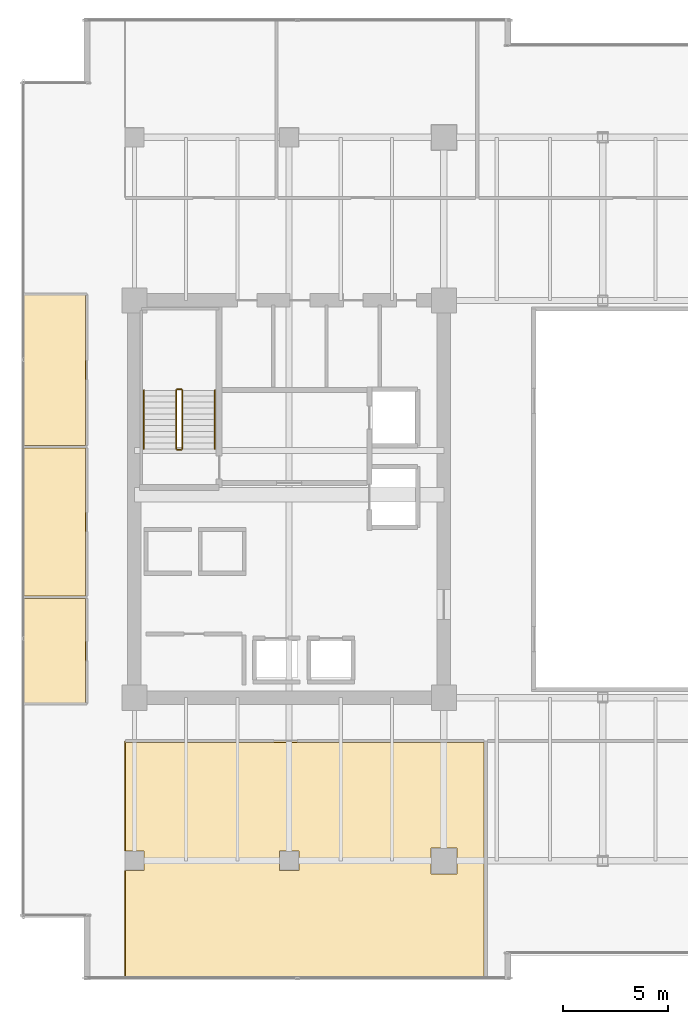
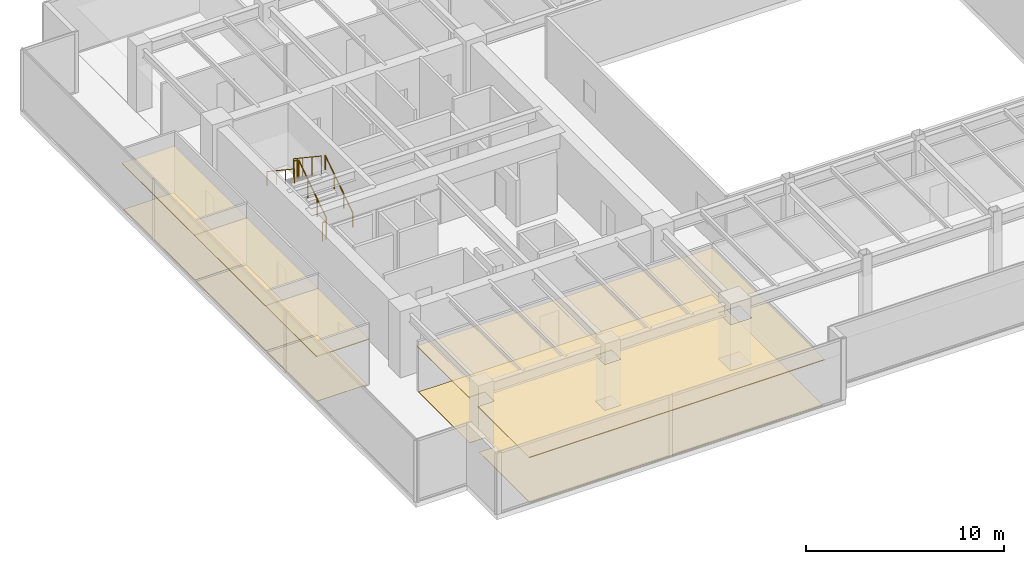
# One storey, part 30 of 33: 8 coverings, 6 railings.
"""IFC4 building model written with IfcOpenShell, lengths in metres."""

from ifc_helpers import new_model, si_unit, direction, frame, origin, origin_2d, place, context, subcontext, project, spatial, polyline, circle, outline, extrude, source, transform, mapped, material, layer, layer_set, type_object, type_shapes, element, save


model = new_model("IFC4")

# Units and contexts
model_context = context("Model", 3, precision=1e-05, world=origin(), true_north=direction((0.0, 1.0)))
body_context = subcontext(model_context, "Body", "Model", "MODEL_VIEW")
ifc_project = project(units=[si_unit("LENGTHUNIT", "METRE"), si_unit("AREAUNIT", "SQUARE_METRE"), si_unit("VOLUMEUNIT", "CUBIC_METRE"), si_unit("PLANEANGLEUNIT", "RADIAN"), si_unit("MASSUNIT", "GRAM", prefix="KILO")], contexts=[model_context])

# Site, building, storey
site_placement = place(None, origin())
site = spatial("IfcSite", under=ifc_project, at=site_placement, CompositionType="ELEMENT")
building_placement = place(site_placement, origin())
building = spatial("IfcBuilding", under=site, at=building_placement, Name="Haelvirn Gate Laboratories", CompositionType="ELEMENT")
storey_placement = place(building_placement, frame((0.0, 0.0, 137.89990234375)))
storey = spatial("IfcBuildingStorey", under=building, at=storey_placement, Name="L33", CompositionType="ELEMENT", Elevation=137.89990234375)

# Coverings
ifc_material_1 = material(Name="Washable cleanroom gasketed aluminium ceiling", Category="aluminium")
ifc_layer_1 = layer(ifc_material_1, 0.050048828125, Name="COV-CEIL-CLN")
ifc_layer_set_1 = layer_set([ifc_layer_1], Name="Washable cleanroom gasketed aluminium ceiling")
covering_type_1 = type_object("IfcCoveringType", Name="COV-CEIL-CLN", PredefinedType="CEILING", material=ifc_layer_set_1)
covering_1_placement = place(storey_placement, frame((0.0, 0.0, 2.81005859375)))
element("IfcCovering", 1, at=covering_1_placement, inside=storey, type_object=covering_type_1, Name="L33 Laboratory Acoustic Ceiling CEIL-SP-L33-S-01", PredefinedType="CEILING", context=body_context, shape_type="SweptSolid", body=[
    extrude(outline(polyline([(6.919921875, 7.409912109375), (6.919921875, 12.72998046875), (24.179931640625, 12.72998046875), (24.179931640625, 1.35009765625), (6.919921875, 1.35009765625), (6.919921875, 6.590087890625), (6.929931640625, 6.590087890625), (6.929931640625, 6.530029296875), (7.8701171875, 6.530029296875), (7.8701171875, 7.469970703125), (6.929931640625, 7.469970703125), (6.929931640625, 7.409912109375), (6.919921875, 7.409912109375)]), holes=[polyline([(14.330078125, 6.530029296875), (15.27001953125, 6.530029296875), (15.27001953125, 7.469970703125), (14.330078125, 7.469970703125), (14.330078125, 6.530029296875)]), polyline([(21.580078125, 7.6201171875), (21.580078125, 6.3798828125), (22.820068359375, 6.3798828125), (22.820068359375, 7.6201171875), (21.580078125, 7.6201171875)])]), origin(), (0.0, 0.0, 1.0), 0.050048828125),
])
covering_2_placement = place(storey_placement, frame((0.0, 0.0, 2.81005859375)))
element("IfcCovering", 2, at=covering_2_placement, inside=storey, type_object=covering_type_1, Name="L33 Laboratory Acoustic Ceiling CEIL-SP-L33-WCELL-01", PredefinedType="CEILING", context=body_context, shape_type="SweptSolid", body=[
    extrude(outline(polyline([(2.050048828125, 19.60009765625), (5.1201171875, 19.60009765625), (5.1201171875, 14.455078125), (2.050048828125, 14.455078125), (2.050048828125, 19.60009765625)])), origin(), (0.0, 0.0, 1.0), 0.050048828125),
])
covering_3_placement = place(storey_placement, frame((0.0, 0.0, 2.81005859375)))
element("IfcCovering", 3, at=covering_3_placement, inside=storey, type_object=covering_type_1, Name="L33 Laboratory Acoustic Ceiling CEIL-SP-L33-WCELL-02", PredefinedType="CEILING", context=body_context, shape_type="SweptSolid", body=[
    extrude(outline(polyline([(2.050048828125, 26.800048828125), (5.1201171875, 26.800048828125), (5.1201171875, 19.60009765625), (2.050048828125, 19.60009765625), (2.050048828125, 26.800048828125)])), origin(), (0.0, 0.0, 1.0), 0.050048828125),
])
covering_4_placement = place(storey_placement, frame((0.0, 0.0, 2.81005859375)))
element("IfcCovering", 4, at=covering_4_placement, inside=storey, type_object=covering_type_1, Name="L33 Laboratory Acoustic Ceiling CEIL-SP-L33-WCELL-03", PredefinedType="CEILING", context=body_context, shape_type="SweptSolid", body=[
    extrude(outline(polyline([(2.050048828125, 34.14501953125), (5.1201171875, 34.14501953125), (5.1201171875, 26.800048828125), (2.050048828125, 26.800048828125), (2.050048828125, 34.14501953125)])), origin(), (0.0, 0.0, 1.0), 0.050048828125),
])
ifc_material_2 = material(Name="Seamless chemical-resistant epoxy laboratory flooring")
ifc_layer_2 = layer(ifc_material_2, 0.01806640625, Name="COV-FLR-RESIN")
ifc_layer_set_2 = layer_set([ifc_layer_2], Name="Seamless chemical-resistant epoxy laboratory flooring")
covering_type_2 = type_object("IfcCoveringType", Name="COV-FLR-RESIN", PredefinedType="FLOORING", material=ifc_layer_set_2)
covering_5_placement = place(storey_placement, origin())
element("IfcCovering", 5, at=covering_5_placement, inside=storey, type_object=covering_type_2, Name="L33 Seamless Laboratory Flooring FLR-SP-L33-S-01", PredefinedType="FLOORING", context=body_context, shape_type="SweptSolid", body=[
    extrude(outline(polyline([(6.97998046875, 1.409912109375), (6.97998046875, 6.530029296875), (7.8701171875, 6.530029296875), (7.8701171875, 7.469970703125), (6.97998046875, 7.469970703125), (6.97998046875, 12.669921875), (24.1201171875, 12.669921875), (24.1201171875, 1.409912109375), (6.97998046875, 1.409912109375)]), holes=[polyline([(15.27001953125, 6.530029296875), (15.27001953125, 7.469970703125), (14.330078125, 7.469970703125), (14.330078125, 6.530029296875), (15.27001953125, 6.530029296875)]), polyline([(21.580078125, 6.3798828125), (22.820068359375, 6.3798828125), (22.820068359375, 7.6201171875), (21.580078125, 7.6201171875), (21.580078125, 6.3798828125)])]), origin(), (0.0, 0.0, 1.0), 0.01806640625),
])
covering_6_placement = place(storey_placement, origin())
element("IfcCovering", 6, at=covering_6_placement, inside=storey, type_object=covering_type_2, Name="L33 Seamless Laboratory Flooring FLR-SP-L33-WCELL-01", PredefinedType="FLOORING", context=body_context, shape_type="SweptSolid", body=[
    extrude(outline(polyline([(2.110107421875, 19.5400390625), (5.06005859375, 19.5400390625), (5.06005859375, 14.514892578125), (2.110107421875, 14.514892578125), (2.110107421875, 19.5400390625)])), origin(), (0.0, 0.0, 1.0), 0.01806640625),
])
covering_7_placement = place(storey_placement, origin())
element("IfcCovering", 7, at=covering_7_placement, inside=storey, type_object=covering_type_2, Name="L33 Seamless Laboratory Flooring FLR-SP-L33-WCELL-02", PredefinedType="FLOORING", context=body_context, shape_type="SweptSolid", body=[
    extrude(outline(polyline([(2.110107421875, 26.739990234375), (5.06005859375, 26.739990234375), (5.06005859375, 19.659912109375), (2.110107421875, 19.659912109375), (2.110107421875, 26.739990234375)])), origin(), (0.0, 0.0, 1.0), 0.01806640625),
])
covering_8_placement = place(storey_placement, origin())
element("IfcCovering", 8, at=covering_8_placement, inside=storey, type_object=covering_type_2, Name="L33 Seamless Laboratory Flooring FLR-SP-L33-WCELL-03", PredefinedType="FLOORING", context=body_context, shape_type="SweptSolid", body=[
    extrude(outline(polyline([(2.110107421875, 34.0849609375), (5.06005859375, 34.0849609375), (5.06005859375, 26.860107421875), (2.110107421875, 26.860107421875), (2.110107421875, 34.0849609375)])), origin(), (0.0, 0.0, 1.0), 0.01806640625),
])

# Railings
ifc_material_3 = material(Name="Galvanised steel SM355 & stainless top rail", Category="steel")
railing_type_1 = type_object("IfcRailingType", Name="RL-GUARD-1150", PredefinedType="GUARDRAIL", material=ifc_material_3)
shared_shape_1 = source(origin(), body_context, "Body", "SweptSolid", [
    extrude(circle(Radius=0.02392578125, at=origin_2d()), frame((0.0, 0.0, 1.1259765625), z_axis=(-1.0, 0.0, 0.0), x_axis=(0.0, -1.0, 0.0)), (0.0, 0.0, 1.0), 0.199951171875),
    extrude(circle(Radius=0.02099609375, at=origin_2d()), origin(), (0.0, 0.0, 1.0), 1.101806640625),
    extrude(circle(Radius=0.02099609375, at=origin_2d()), frame((-0.199951171875, 0.0, 0.0)), (0.0, 0.0, 1.0), 1.101806640625),
])
for number, where, name in (
    (9, (9.64990234375, 29.550048828125, 2.050048828125), "L33 ST1 stair guard 2"),
    (10, (9.64990234375, 26.64990234375, 0.0), "L33 ST1 stair guard 4"),
):
    element("IfcRailing", number, at=place(storey_placement, frame(where)), inside=storey, type_object=railing_type_1, Name=name, PredefinedType="GUARDRAIL", context=body_context, shape_type="MappedRepresentation", body=[
        mapped(shared_shape_1, transform((0.0, 0.0, 0.0), scale=1.0)),
    ])
shared_shape_2 = source(origin(), body_context, "Body", "SweptSolid", [
    extrude(circle(Radius=0.02392578125, at=origin_2d()), frame((0.0, 0.0, 1.1259765625), z_axis=(0.0, 0.832485552168, 0.554046753832), x_axis=(-1.0, 0.0, 0.0)), (0.0, 0.0, 1.0), 3.363525390625),
    extrude(circle(Radius=0.02099609375, at=origin_2d()), origin(), (0.0, 0.0, 1.0), 1.101806640625),
    extrude(circle(Radius=0.02099609375, at=origin_2d()), frame((0.0, 0.933349609375, 0.62109375)), (0.0, 0.0, 1.0), 1.101806640625),
    extrude(circle(Radius=0.02099609375, at=origin_2d()), frame((0.0, 1.86669921875, 1.242431640625)), (0.0, 0.0, 1.0), 1.101806640625),
    extrude(circle(Radius=0.02099609375, at=origin_2d()), frame((0.0, 2.800048828125, 1.863525390625)), (0.0, 0.0, 1.0), 1.101806640625),
])
railing_1_placement = place(storey_placement, frame((9.699951171875, 26.699951171875, 0.1865234375)))
element("IfcRailing", 11, at=railing_1_placement, inside=storey, type_object=railing_type_1, Name="L33 ST1 stair guard 1", PredefinedType="GUARDRAIL", context=body_context, shape_type="MappedRepresentation", body=[
    mapped(shared_shape_2, transform((0.0, 0.0, 0.0), scale=1.0)),
])
ifc_material_4 = material(Name="Brushed stainless steel 316L", Category="steel")
railing_type_2 = type_object("IfcRailingType", Name="RL-HAND-920", PredefinedType="HANDRAIL", material=ifc_material_4)
shared_shape_3 = source(origin(), body_context, "Body", "SweptSolid", [
    extrude(circle(Radius=0.02392578125, at=origin_2d()), frame((0.0, 0.0, 0.8759765625), z_axis=(0.0, 0.832485552168, 0.554046753832), x_axis=(-1.0, 0.0, 0.0)), (0.0, 0.0, 1.0), 3.363525390625),
    extrude(circle(Radius=0.02099609375, at=origin_2d()), origin(), (0.0, 0.0, 1.0), 0.851806640625),
    extrude(circle(Radius=0.02099609375, at=origin_2d()), frame((0.0, 0.933349609375, 0.62109375)), (0.0, 0.0, 1.0), 0.851806640625),
    extrude(circle(Radius=0.02099609375, at=origin_2d()), frame((0.0, 1.86669921875, 1.242431640625)), (0.0, 0.0, 1.0), 0.851806640625),
    extrude(circle(Radius=0.02099609375, at=origin_2d()), frame((0.0, 2.800048828125, 1.863525390625)), (0.0, 0.0, 1.0), 0.851806640625),
])
railing_2_placement = place(storey_placement, frame((11.25, 26.699951171875, 0.1865234375)))
element("IfcRailing", 12, at=railing_2_placement, inside=storey, type_object=railing_type_2, Name="L33 ST1 stair handrail 1", PredefinedType="HANDRAIL", context=body_context, shape_type="MappedRepresentation", body=[
    mapped(shared_shape_3, transform((0.0, 0.0, 0.0), scale=1.0)),
])
shared_shape_4 = source(origin(), body_context, "Body", "SweptSolid", [
    extrude(circle(Radius=0.02392578125, at=origin_2d()), frame((0.0, 0.0, 1.1259765625), z_axis=(0.0, -0.832485552168, 0.554046753832), x_axis=(1.0, 0.0, 0.0)), (0.0, 0.0, 1.0), 3.363525390625),
    extrude(circle(Radius=0.02099609375, at=origin_2d()), origin(), (0.0, 0.0, 1.0), 1.101806640625),
    extrude(circle(Radius=0.02099609375, at=origin_2d()), frame((0.0, -0.933349609375, 0.62109375)), (0.0, 0.0, 1.0), 1.101806640625),
    extrude(circle(Radius=0.02099609375, at=origin_2d()), frame((0.0, -1.86669921875, 1.242431640625)), (0.0, 0.0, 1.0), 1.101806640625),
    extrude(circle(Radius=0.02099609375, at=origin_2d()), frame((0.0, -2.800048828125, 1.863525390625)), (0.0, 0.0, 1.0), 1.101806640625),
])
type_shapes(railing_type_1, [shared_shape_1, shared_shape_2, shared_shape_4])
railing_3_placement = place(storey_placement, frame((9.39990234375, 29.5, 2.236572265625)))
element("IfcRailing", 13, at=railing_3_placement, inside=storey, type_object=railing_type_1, Name="L33 ST1 stair guard 3", PredefinedType="GUARDRAIL", context=body_context, shape_type="MappedRepresentation", body=[
    mapped(shared_shape_4, transform((0.0, 0.0, 0.0), scale=1.0)),
])
shared_shape_5 = source(origin(), body_context, "Body", "SweptSolid", [
    extrude(circle(Radius=0.02392578125, at=origin_2d()), frame((0.0, 0.0, 0.8759765625), z_axis=(0.0, -0.832485552168, 0.554046753832), x_axis=(1.0, 0.0, 0.0)), (0.0, 0.0, 1.0), 3.363525390625),
    extrude(circle(Radius=0.02099609375, at=origin_2d()), origin(), (0.0, 0.0, 1.0), 0.851806640625),
    extrude(circle(Radius=0.02099609375, at=origin_2d()), frame((0.0, -0.933349609375, 0.62109375)), (0.0, 0.0, 1.0), 0.851806640625),
    extrude(circle(Radius=0.02099609375, at=origin_2d()), frame((0.0, -1.86669921875, 1.242431640625)), (0.0, 0.0, 1.0), 0.851806640625),
    extrude(circle(Radius=0.02099609375, at=origin_2d()), frame((0.0, -2.800048828125, 1.863525390625)), (0.0, 0.0, 1.0), 0.851806640625),
])
type_shapes(railing_type_2, [shared_shape_3, shared_shape_5])
railing_4_placement = place(storey_placement, frame((7.85009765625, 29.5, 2.236572265625)))
element("IfcRailing", 14, at=railing_4_placement, inside=storey, type_object=railing_type_2, Name="L33 ST1 stair handrail 2", PredefinedType="HANDRAIL", context=body_context, shape_type="MappedRepresentation", body=[
    mapped(shared_shape_5, transform((0.0, 0.0, 0.0), scale=1.0)),
])

save(model, "model.ifc")
